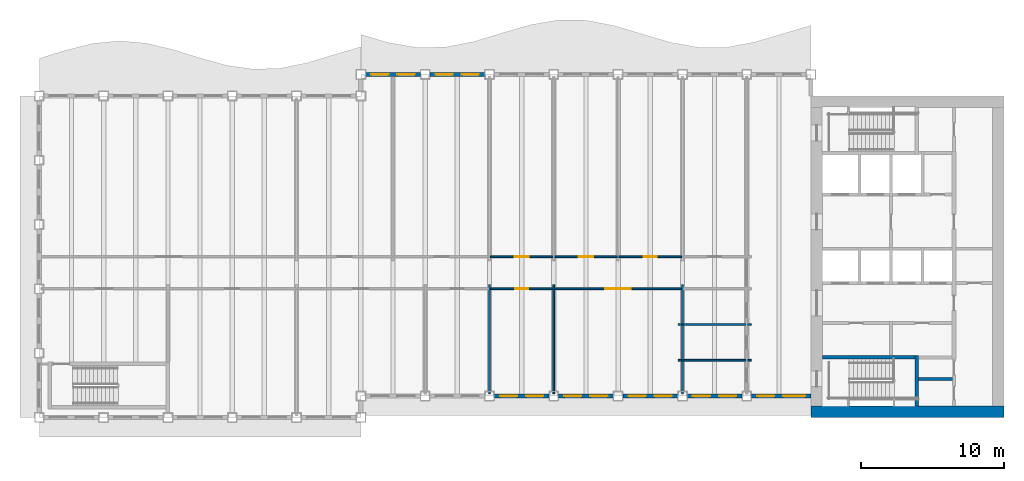
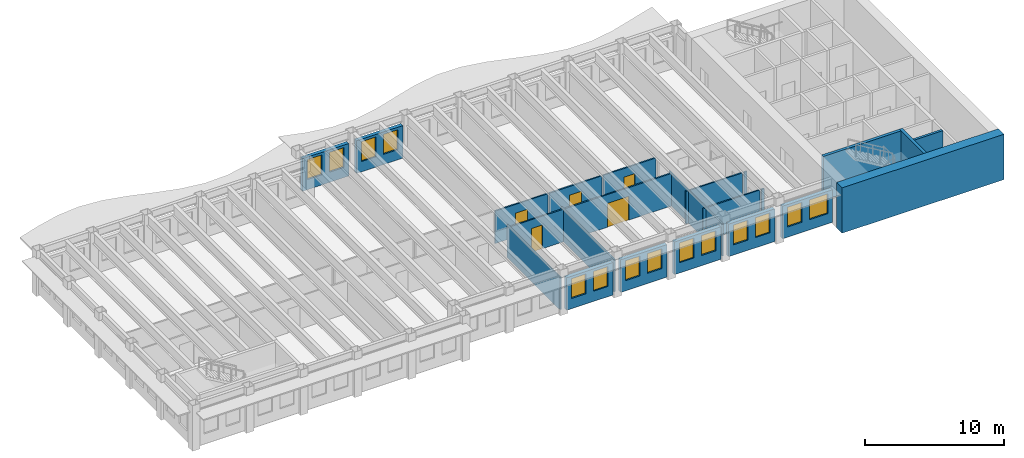
# One storey, part 4 of 12: 25 walls, 14 windows, 5 doors, 19 openings.
"""IFC4 building model written with IfcOpenShell, lengths in metres."""

from ifc_helpers import new_model, si_unit, direction, frame, frame_2d, origin, place, context, subcontext, project, spatial, rectangle, extrude, material, layer, layer_set, type_object, element, fill, save


model = new_model("IFC4")

# Units and contexts
model_context = context("Model", 3, precision=1e-05, world=origin(), true_north=direction((0.0, 1.0)))
body_context = subcontext(model_context, "Body", "Model", "MODEL_VIEW")
ifc_project = project(units=[si_unit("LENGTHUNIT", "METRE"), si_unit("AREAUNIT", "SQUARE_METRE"), si_unit("VOLUMEUNIT", "CUBIC_METRE"), si_unit("PLANEANGLEUNIT", "RADIAN"), si_unit("MASSUNIT", "GRAM", prefix="KILO")], contexts=[model_context])

# Site, building, storey
site_placement = place(None, origin())
site = spatial("IfcSite", under=ifc_project, at=site_placement, CompositionType="ELEMENT")
building_placement = place(site_placement, origin())
building = spatial("IfcBuilding", under=site, at=building_placement, Name="Sennacour Bend Tower", CompositionType="ELEMENT")
storey_placement = place(building_placement, frame((0.0, 0.0, 249.0)))
storey = spatial("IfcBuildingStorey", under=building, at=storey_placement, Name="L57", CompositionType="ELEMENT", Elevation=249.0)

# Walls
ifc_material_1 = material(Name="Concrete C50/60", Category="concrete")
ifc_layer_1 = layer(ifc_material_1, 0.800048828125, Name="Concrete C50/60", Category="concrete")
ifc_layer_set_1 = layer_set([ifc_layer_1], Name="Concrete C50/60")
wall_type_1 = type_object("IfcWallType", Name="Core wall 800 C50/60", PredefinedType="SHEAR", material=ifc_layer_set_1)
wall_1_placement = place(storey_placement, frame((67.5, 0.39990234375, -0.14990234375), z_axis=(0.0, 0.0, 1.0), x_axis=(-1.0, 0.0, 0.0)))
element("IfcWall", 1, at=wall_1_placement, inside=storey, type_object=wall_type_1, Name="Core A wall L57 S", PredefinedType="SHEAR", context=body_context, shape_type="SweptSolid", body=[
    extrude(rectangle(XDim=13.5, YDim=0.800048828125, at=frame_2d((6.75, 0.0))), origin(), (0.0, 0.0, 1.0), 4.0),
])
ifc_material_2 = material(Name="Plasterboard partition on steel studs", Category="steel")
ifc_layer_2 = layer(ifc_material_2, 0.1201171875, Name="Plasterboard partition on steel studs", Category="steel")
ifc_layer_set_2 = layer_set([ifc_layer_2], Name="Plasterboard partition on steel studs")
wall_type_2 = type_object("IfcWallType", Name="Partition 120", PredefinedType="PARTITIONING", material=ifc_layer_set_2)
for number, where, z_axis, x_axis, name in (
    (2, (31.5, 1.64990234375, 0.0), (0.0, 0.0, 1.0), (0.0, 1.0, 0.0), "P-L57-W010a"),
    (3, (36.0, 1.64990234375, 0.0), (0.0, 0.0, 1.0), (0.0, 1.0, 0.0), "P-L57-W012a"),
    (4, (45.0, 1.64990234375, 0.0), (0.0, 0.0, 1.0), (0.0, 1.0, 0.0), "P-L57-W015a"),
):
    element("IfcWall", number, at=place(storey_placement, frame(where, z_axis=z_axis, x_axis=x_axis)), inside=storey, type_object=wall_type_2, Name=name, PredefinedType="PARTITIONING", context=body_context, shape_type="SweptSolid", body=[
        extrude(rectangle(XDim=7.650146484375, YDim=0.1201171875, at=frame_2d((3.8251953125, 0.0))), origin(), (0.0, 0.0, 1.0), 2.8701171875),
    ])
wall_2_placement = place(storey_placement, frame((44.699951171875, 4.0, 0.0), z_axis=(0.0, 0.0, 1.0), x_axis=(1.0, 0.0, 0.0)))
element("IfcWall", 5, at=wall_2_placement, inside=storey, type_object=wall_type_2, Name="P-L57-W038aa", PredefinedType="PARTITIONING", context=body_context, shape_type="SweptSolid", body=[
    extrude(rectangle(XDim=0.239990234375, YDim=0.1201171875, at=frame_2d((0.1201171875, 0.0))), origin(), (0.0, 0.0, 1.0), 2.8701171875),
])
wall_3_placement = place(storey_placement, frame((45.06005859375, 4.0, 0.0), z_axis=(0.0, 0.0, 1.0), x_axis=(1.0, 0.0, 0.0)))
element("IfcWall", 6, at=wall_3_placement, inside=storey, type_object=wall_type_2, Name="P-L57-W038ab", PredefinedType="PARTITIONING", context=body_context, shape_type="SweptSolid", body=[
    extrude(rectangle(XDim=4.3798828125, YDim=0.1201171875, at=frame_2d((2.18994140625, 0.0))), origin(), (0.0, 0.0, 1.0), 2.8701171875),
])
for number, where, z_axis, x_axis, name in (
    (7, (49.56005859375, 4.0, 0.0), (0.0, 0.0, 1.0), (1.0, 0.0, 0.0), "P-L57-W038ac"),
    (8, (44.699951171875, 6.5, 0.0), (0.0, 0.0, 1.0), (1.0, 0.0, 0.0), "P-L57-W041aa"),
):
    element("IfcWall", number, at=place(storey_placement, frame(where, z_axis=z_axis, x_axis=x_axis)), inside=storey, type_object=wall_type_2, Name=name, PredefinedType="PARTITIONING", context=body_context, shape_type="SweptSolid", body=[
        extrude(rectangle(XDim=0.239990234375, YDim=0.1201171875, at=frame_2d((0.1201171875, 0.0))), origin(), (0.0, 0.0, 1.0), 2.8701171875),
    ])
wall_4_placement = place(storey_placement, frame((45.06005859375, 6.5, 0.0), z_axis=(0.0, 0.0, 1.0), x_axis=(1.0, 0.0, 0.0)))
element("IfcWall", 9, at=wall_4_placement, inside=storey, type_object=wall_type_2, Name="P-L57-W041ab", PredefinedType="PARTITIONING", context=body_context, shape_type="SweptSolid", body=[
    extrude(rectangle(XDim=4.3798828125, YDim=0.1201171875, at=frame_2d((2.18994140625, 0.0))), origin(), (0.0, 0.0, 1.0), 2.8701171875),
])
wall_5_placement = place(storey_placement, frame((49.56005859375, 6.5, 0.0), z_axis=(0.0, 0.0, 1.0), x_axis=(1.0, 0.0, 0.0)))
element("IfcWall", 10, at=wall_5_placement, inside=storey, type_object=wall_type_2, Name="P-L57-W041ac", PredefinedType="PARTITIONING", context=body_context, shape_type="SweptSolid", body=[
    extrude(rectangle(XDim=0.239990234375, YDim=0.1201171875, at=frame_2d((0.1201171875, 0.0))), origin(), (0.0, 0.0, 1.0), 2.8701171875),
])

# Wall, opening, door
wall_6_placement = place(storey_placement, frame((36.06005859375, 9.0, 0.0), z_axis=(0.0, 0.0, 1.0), x_axis=(1.0, 0.0, 0.0)))
wall_6 = element("IfcWall", 11, at=wall_6_placement, inside=storey, type_object=wall_type_2, Name="P-L57-W043af", PredefinedType="PARTITIONING", context=body_context, shape_type="SweptSolid", body=[
    extrude(rectangle(XDim=8.8798828125, YDim=0.1201171875, at=frame_2d((4.43994140625, 0.0))), origin(), (0.0, 0.0, 1.0), 2.8701171875),
])
opening_1_placement = place(wall_6_placement, frame((3.539794921875, 0.0, 0.0)))
opening_1 = element("IfcOpeningElement", 12, at=opening_1_placement, cuts=wall_6, Name="Opening OD3", PredefinedType="OPENING", context=body_context, shape_type="SweptSolid", body=[
    extrude(rectangle(XDim=1.800048828125, YDim=2.10009765625, at=frame_2d((0.89990234375, 1.050048828125))), frame((0.0, 0.070068359375, 0.0), z_axis=(0.0, -1.0, 0.0), x_axis=(1.0, 0.0, 0.0)), (0.0, 0.0, 1.0), 0.14013671875),
])
ifc_material_3 = material(Name="Timber", Category="wood")
door_type_1 = type_object("IfcDoorType", Name="DR-OFFICE-1800", OperationType="NOTDEFINED", PredefinedType="DOOR", material=ifc_material_3)
door_1_placement = place(opening_1_placement, origin())
door_1 = element("IfcDoor", 13, at=door_1_placement, inside=storey, type_object=door_type_1, Name="Door", OperationType="DOUBLE_DOOR_SINGLE_SWING", OverallHeight=2.10009765625, OverallWidth=1.800048828125, PredefinedType="DOOR", context=body_context, shape_type="SweptSolid", body=[
    extrude(rectangle(XDim=1.800048828125, YDim=2.10009765625, at=frame_2d((0.89990234375, 1.050048828125))), frame((0.0, 0.02490234375, 0.0), z_axis=(0.0, -1.0, 0.0), x_axis=(1.0, 0.0, 0.0)), (0.0, 0.0, 1.0), 0.050048828125),
])
fill(opening_1, door_1)

wall_7_placement = place(storey_placement, frame((31.56005859375, 11.25, 0.0), z_axis=(0.0, 0.0, 1.0), x_axis=(1.0, 0.0, 0.0)))
wall_7 = element("IfcWall", 14, at=wall_7_placement, inside=storey, type_object=wall_type_2, Name="P-L57-W046ad", PredefinedType="PARTITIONING", context=body_context, shape_type="SweptSolid", body=[
    extrude(rectangle(XDim=4.3798828125, YDim=0.1201171875, at=frame_2d((2.18994140625, 0.0))), origin(), (0.0, 0.0, 1.0), 2.8701171875),
])
opening_2_placement = place(wall_7_placement, frame((1.68994140625, 0.0, 0.0)))
opening_2 = element("IfcOpeningElement", 15, at=opening_2_placement, cuts=wall_7, Name="Opening OD2", PredefinedType="OPENING", context=body_context, shape_type="SweptSolid", body=[
    extrude(rectangle(XDim=1.0, YDim=2.10009765625, at=frame_2d((0.5, 1.050048828125))), frame((0.0, 0.070068359375, 0.0), z_axis=(0.0, -1.0, 0.0), x_axis=(1.0, 0.0, 0.0)), (0.0, 0.0, 1.0), 0.14013671875),
])
door_type_2 = type_object("IfcDoorType", Name="DR-OFFICE-1000", OperationType="NOTDEFINED", PredefinedType="DOOR", material=ifc_material_3)
door_2_placement = place(opening_2_placement, origin())
door_2 = element("IfcDoor", 16, at=door_2_placement, inside=storey, type_object=door_type_2, Name="Door", OperationType="SINGLE_SWING_LEFT", OverallHeight=2.10009765625, OverallWidth=1.0, PredefinedType="DOOR", context=body_context, shape_type="SweptSolid", body=[
    extrude(rectangle(XDim=1.0, YDim=2.10009765625, at=frame_2d((0.5, 1.050048828125))), frame((0.0, 0.02490234375, 0.0), z_axis=(0.0, -1.0, 0.0), x_axis=(1.0, 0.0, 0.0)), (0.0, 0.0, 1.0), 0.050048828125),
])
fill(opening_2, door_2)

wall_8_placement = place(storey_placement, frame((36.06005859375, 11.25, 0.0), z_axis=(0.0, 0.0, 1.0), x_axis=(1.0, 0.0, 0.0)))
wall_8 = element("IfcWall", 17, at=wall_8_placement, inside=storey, type_object=wall_type_2, Name="P-L57-W046ae", PredefinedType="PARTITIONING", context=body_context, shape_type="SweptSolid", body=[
    extrude(rectangle(XDim=4.3798828125, YDim=0.1201171875, at=frame_2d((2.18994140625, 0.0))), origin(), (0.0, 0.0, 1.0), 2.8701171875),
])
opening_3_placement = place(wall_8_placement, frame((1.68994140625, 0.0, 0.0)))
opening_3 = element("IfcOpeningElement", 18, at=opening_3_placement, cuts=wall_8, Name="Opening OD2", PredefinedType="OPENING", context=body_context, shape_type="SweptSolid", body=[
    extrude(rectangle(XDim=1.0, YDim=2.10009765625, at=frame_2d((0.5, 1.050048828125))), frame((0.0, 0.070068359375, 0.0), z_axis=(0.0, -1.0, 0.0), x_axis=(1.0, 0.0, 0.0)), (0.0, 0.0, 1.0), 0.14013671875),
])
door_3_placement = place(opening_3_placement, origin())
door_3 = element("IfcDoor", 19, at=door_3_placement, inside=storey, type_object=door_type_2, Name="Door", OperationType="SINGLE_SWING_LEFT", OverallHeight=2.10009765625, OverallWidth=1.0, PredefinedType="DOOR", context=body_context, shape_type="SweptSolid", body=[
    extrude(rectangle(XDim=1.0, YDim=2.10009765625, at=frame_2d((0.5, 1.050048828125))), frame((0.0, 0.02490234375, 0.0), z_axis=(0.0, -1.0, 0.0), x_axis=(1.0, 0.0, 0.0)), (0.0, 0.0, 1.0), 0.050048828125),
])
fill(opening_3, door_3)

ifc_layer_3 = layer(ifc_material_2, 0.1201171875, Name="Plasterboard partition on steel studs", Category="steel")
ifc_layer_set_3 = layer_set([ifc_layer_3], Name="Plasterboard partition on steel studs")
wall_type_3 = type_object("IfcWallType", Name="Partition 120 EI 60", PredefinedType="PARTITIONING", material=ifc_layer_set_3)
wall_9_placement = place(storey_placement, frame((31.56005859375, 9.0, 0.0), z_axis=(0.0, 0.0, 1.0), x_axis=(1.0, 0.0, 0.0)))
wall_9 = element("IfcWall", 20, at=wall_9_placement, inside=storey, type_object=wall_type_3, Name="P-L57-W043ae", PredefinedType="PARTITIONING", context=body_context, shape_type="SweptSolid", body=[
    extrude(rectangle(XDim=4.3798828125, YDim=0.1201171875, at=frame_2d((2.18994140625, 0.0))), origin(), (0.0, 0.0, 1.0), 2.8701171875),
])
opening_4_placement = place(wall_9_placement, frame((1.739990234375, 0.0, 0.0)))
opening_4 = element("IfcOpeningElement", 21, at=opening_4_placement, cuts=wall_9, Name="Opening SV", PredefinedType="OPENING", context=body_context, shape_type="SweptSolid", body=[
    extrude(rectangle(XDim=0.89990234375, YDim=2.10009765625, at=frame_2d((0.449951171875, 1.050048828125))), frame((0.0, 0.070068359375, 0.0), z_axis=(0.0, -1.0, 0.0), x_axis=(1.0, 0.0, 0.0)), (0.0, 0.0, 1.0), 0.14013671875),
])
ifc_material_4 = material(Name="Painted steel", Category="steel")
door_type_3 = type_object("IfcDoorType", Name="DR-SERVICE-900", OperationType="NOTDEFINED", PredefinedType="DOOR", material=ifc_material_4)
door_4_placement = place(opening_4_placement, origin())
door_4 = element("IfcDoor", 22, at=door_4_placement, inside=storey, type_object=door_type_3, Name="Door", OperationType="SINGLE_SWING_LEFT", OverallHeight=2.10009765625, OverallWidth=0.89990234375, PredefinedType="DOOR", context=body_context, shape_type="SweptSolid", body=[
    extrude(rectangle(XDim=0.89990234375, YDim=2.10009765625, at=frame_2d((0.449951171875, 1.050048828125))), frame((0.0, 0.02490234375, 0.0), z_axis=(0.0, -1.0, 0.0), x_axis=(1.0, 0.0, 0.0)), (0.0, 0.0, 1.0), 0.050048828125),
])
fill(opening_4, door_4)

wall_10_placement = place(storey_placement, frame((40.56005859375, 11.25, 0.0), z_axis=(0.0, 0.0, 1.0), x_axis=(1.0, 0.0, 0.0)))
wall_10 = element("IfcWall", 23, at=wall_10_placement, inside=storey, type_object=wall_type_3, Name="P-L57-W046af", PredefinedType="PARTITIONING", context=body_context, shape_type="SweptSolid", body=[
    extrude(rectangle(XDim=4.3798828125, YDim=0.1201171875, at=frame_2d((2.18994140625, 0.0))), origin(), (0.0, 0.0, 1.0), 2.8701171875),
])
opening_5_placement = place(wall_10_placement, frame((1.739990234375, 0.0, 0.0)))
opening_5 = element("IfcOpeningElement", 24, at=opening_5_placement, cuts=wall_10, Name="Opening SV", PredefinedType="OPENING", context=body_context, shape_type="SweptSolid", body=[
    extrude(rectangle(XDim=0.89990234375, YDim=2.10009765625, at=frame_2d((0.449951171875, 1.050048828125))), frame((0.0, 0.070068359375, 0.0), z_axis=(0.0, -1.0, 0.0), x_axis=(1.0, 0.0, 0.0)), (0.0, 0.0, 1.0), 0.14013671875),
])
door_5_placement = place(opening_5_placement, origin())
door_5 = element("IfcDoor", 25, at=door_5_placement, inside=storey, type_object=door_type_3, Name="Door", OperationType="SINGLE_SWING_LEFT", OverallHeight=2.10009765625, OverallWidth=0.89990234375, PredefinedType="DOOR", context=body_context, shape_type="SweptSolid", body=[
    extrude(rectangle(XDim=0.89990234375, YDim=2.10009765625, at=frame_2d((0.449951171875, 1.050048828125))), frame((0.0, 0.02490234375, 0.0), z_axis=(0.0, -1.0, 0.0), x_axis=(1.0, 0.0, 0.0)), (0.0, 0.0, 1.0), 0.050048828125),
])
fill(opening_5, door_5)

# Wall
ifc_material_5 = material(Name="Fire-rated plasterboard partition on steel studs", Category="steel")
ifc_layer_4 = layer(ifc_material_5, 0.199951171875, Name="Fire-rated plasterboard partition on steel studs", Category="steel")
ifc_layer_set_4 = layer_set([ifc_layer_4], Name="Fire-rated plasterboard partition on steel studs")
wall_type_4 = type_object("IfcWallType", Name="Rated partition 200", PredefinedType="PARTITIONING", material=ifc_layer_set_4)
wall_11_placement = place(storey_placement, frame((61.52490234375, 2.699951171875, 0.0), z_axis=(0.0, 0.0, 1.0), x_axis=(1.0, 0.0, 0.0)))
element("IfcWall", 26, at=wall_11_placement, inside=storey, type_object=wall_type_4, Name="P-L57-W035", PredefinedType="PARTITIONING", context=body_context, shape_type="SweptSolid", body=[
    extrude(rectangle(XDim=2.375, YDim=0.199951171875, at=frame_2d((1.1875, 0.0))), origin(), (0.0, 0.0, 1.0), 3.85009765625),
])

# Wall, openings, windows
ifc_material_6 = material(Name="Warm limestone cladding", Category="masonry")
ifc_layer_5 = layer(ifc_material_6, 0.050048828125, Name="Warm limestone cladding", Category="masonry")
ifc_material_7 = material(Name="Precast concrete C40/50", Category="concrete")
ifc_layer_6 = layer(ifc_material_7, 0.25, Name="Precast concrete C40/50", Category="concrete")
ifc_layer_set_5 = layer_set([ifc_layer_5, ifc_layer_6], Name="Precast concrete C40/50 with limestone cladding")
wall_type_5 = type_object("IfcWallType", Name="STONE-CLAD PRECAST SPANDREL 300", PredefinedType="STANDARD", material=ifc_layer_set_5)
wall_12_placement = place(storey_placement, frame((31.824951171875, 1.5, 0.0), z_axis=(0.0, 0.0, 1.0), x_axis=(1.0, 0.0, 0.0)))
wall_12 = element("IfcWall", 27, at=wall_12_placement, inside=storey, type_object=wall_type_5, Name="Stone spandrel and pier wall L57 01.02", PredefinedType="STANDARD", context=body_context, shape_type="SweptSolid", body=[
    extrude(rectangle(XDim=3.85009765625, YDim=0.300048828125, at=frame_2d((1.925048828125, 0.0))), origin(), (0.0, 0.0, 1.0), 2.8701171875),
])
opening_6_placement = place(wall_12_placement, frame((0.41259765625, 0.0, 0.89990234375)))
opening_6 = element("IfcOpeningElement", 28, at=opening_6_placement, cuts=wall_12, Name="Opening W16", PredefinedType="OPENING", context=body_context, shape_type="SweptSolid", body=[
    extrude(rectangle(XDim=1.199951171875, YDim=1.75, at=frame_2d((0.60009765625, 0.875))), frame((0.0, 0.16015625, 0.0), z_axis=(0.0, -1.0, 0.0), x_axis=(1.0, 0.0, 0.0)), (0.0, 0.0, 1.0), 0.320068359375),
])
opening_7_placement = place(wall_12_placement, frame((2.237548828125, 0.0, 0.89990234375)))
opening_7 = element("IfcOpeningElement", 29, at=opening_7_placement, cuts=wall_12, Name="Opening W16", PredefinedType="OPENING", context=body_context, shape_type="SweptSolid", body=[
    extrude(rectangle(XDim=1.199951171875, YDim=1.75, at=frame_2d((0.60009765625, 0.875))), frame((0.0, 0.16015625, 0.0), z_axis=(0.0, -1.0, 0.0), x_axis=(1.0, 0.0, 0.0)), (0.0, 0.0, 1.0), 0.320068359375),
])
ifc_material_8 = material(Name="Clear low-emissivity glass", Category="glass")
window_type_1 = type_object("IfcWindowType", Name="WIN-RIBBON-1200x1750", PartitioningType="SINGLE_PANEL", PredefinedType="WINDOW", material=ifc_material_8)
window_1_placement = place(opening_6_placement, origin())
window_1 = element("IfcWindow", 30, at=window_1_placement, inside=storey, type_object=window_type_1, Name="Ribbon window L57 01.02.0", OverallHeight=1.75, OverallWidth=1.199951171875, PartitioningType="SINGLE_PANEL", PredefinedType="WINDOW", context=body_context, shape_type="SweptSolid", body=[
    extrude(rectangle(XDim=1.199951171875, YDim=1.75, at=frame_2d((0.60009765625, 0.875))), frame((0.0, 0.030029296875, 0.0), z_axis=(0.0, -1.0, 0.0), x_axis=(1.0, 0.0, 0.0)), (0.0, 0.0, 1.0), 0.06005859375),
])
fill(opening_6, window_1)
window_2_placement = place(opening_7_placement, origin())
window_2 = element("IfcWindow", 31, at=window_2_placement, inside=storey, type_object=window_type_1, Name="Ribbon window L57 01.02.1", OverallHeight=1.75, OverallWidth=1.199951171875, PartitioningType="SINGLE_PANEL", PredefinedType="WINDOW", context=body_context, shape_type="SweptSolid", body=[
    extrude(rectangle(XDim=1.199951171875, YDim=1.75, at=frame_2d((0.60009765625, 0.875))), frame((0.0, 0.030029296875, 0.0), z_axis=(0.0, -1.0, 0.0), x_axis=(1.0, 0.0, 0.0)), (0.0, 0.0, 1.0), 0.06005859375),
])
fill(opening_7, window_2)

wall_13_placement = place(storey_placement, frame((36.324951171875, 1.5, 0.0), z_axis=(0.0, 0.0, 1.0), x_axis=(1.0, 0.0, 0.0)))
wall_13 = element("IfcWall", 32, at=wall_13_placement, inside=storey, type_object=wall_type_5, Name="Stone spandrel and pier wall L57 01.03", PredefinedType="STANDARD", context=body_context, shape_type="SweptSolid", body=[
    extrude(rectangle(XDim=3.85009765625, YDim=0.300048828125, at=frame_2d((1.925048828125, 0.0))), origin(), (0.0, 0.0, 1.0), 2.8701171875),
])
opening_8_placement = place(wall_13_placement, frame((0.41259765625, 0.0, 0.89990234375)))
opening_8 = element("IfcOpeningElement", 33, at=opening_8_placement, cuts=wall_13, Name="Opening W16", PredefinedType="OPENING", context=body_context, shape_type="SweptSolid", body=[
    extrude(rectangle(XDim=1.199951171875, YDim=1.75, at=frame_2d((0.60009765625, 0.875))), frame((0.0, 0.16015625, 0.0), z_axis=(0.0, -1.0, 0.0), x_axis=(1.0, 0.0, 0.0)), (0.0, 0.0, 1.0), 0.320068359375),
])
opening_9_placement = place(wall_13_placement, frame((2.237548828125, 0.0, 0.89990234375)))
opening_9 = element("IfcOpeningElement", 34, at=opening_9_placement, cuts=wall_13, Name="Opening W16", PredefinedType="OPENING", context=body_context, shape_type="SweptSolid", body=[
    extrude(rectangle(XDim=1.199951171875, YDim=1.75, at=frame_2d((0.60009765625, 0.875))), frame((0.0, 0.16015625, 0.0), z_axis=(0.0, -1.0, 0.0), x_axis=(1.0, 0.0, 0.0)), (0.0, 0.0, 1.0), 0.320068359375),
])
window_3_placement = place(opening_8_placement, origin())
window_3 = element("IfcWindow", 35, at=window_3_placement, inside=storey, type_object=window_type_1, Name="Ribbon window L57 01.03.0", OverallHeight=1.75, OverallWidth=1.199951171875, PartitioningType="SINGLE_PANEL", PredefinedType="WINDOW", context=body_context, shape_type="SweptSolid", body=[
    extrude(rectangle(XDim=1.199951171875, YDim=1.75, at=frame_2d((0.60009765625, 0.875))), frame((0.0, 0.030029296875, 0.0), z_axis=(0.0, -1.0, 0.0), x_axis=(1.0, 0.0, 0.0)), (0.0, 0.0, 1.0), 0.06005859375),
])
fill(opening_8, window_3)
window_4_placement = place(opening_9_placement, origin())
window_4 = element("IfcWindow", 36, at=window_4_placement, inside=storey, type_object=window_type_1, Name="Ribbon window L57 01.03.1", OverallHeight=1.75, OverallWidth=1.199951171875, PartitioningType="SINGLE_PANEL", PredefinedType="WINDOW", context=body_context, shape_type="SweptSolid", body=[
    extrude(rectangle(XDim=1.199951171875, YDim=1.75, at=frame_2d((0.60009765625, 0.875))), frame((0.0, 0.030029296875, 0.0), z_axis=(0.0, -1.0, 0.0), x_axis=(1.0, 0.0, 0.0)), (0.0, 0.0, 1.0), 0.06005859375),
])
fill(opening_9, window_4)

wall_14_placement = place(storey_placement, frame((40.824951171875, 1.5, 0.0), z_axis=(0.0, 0.0, 1.0), x_axis=(1.0, 0.0, 0.0)))
wall_14 = element("IfcWall", 37, at=wall_14_placement, inside=storey, type_object=wall_type_5, Name="Stone spandrel and pier wall L57 01.04", PredefinedType="STANDARD", context=body_context, shape_type="SweptSolid", body=[
    extrude(rectangle(XDim=3.85009765625, YDim=0.300048828125, at=frame_2d((1.925048828125, 0.0))), origin(), (0.0, 0.0, 1.0), 2.8701171875),
])
opening_10_placement = place(wall_14_placement, frame((0.41259765625, 0.0, 0.89990234375)))
opening_10 = element("IfcOpeningElement", 38, at=opening_10_placement, cuts=wall_14, Name="Opening W16", PredefinedType="OPENING", context=body_context, shape_type="SweptSolid", body=[
    extrude(rectangle(XDim=1.199951171875, YDim=1.75, at=frame_2d((0.60009765625, 0.875))), frame((0.0, 0.16015625, 0.0), z_axis=(0.0, -1.0, 0.0), x_axis=(1.0, 0.0, 0.0)), (0.0, 0.0, 1.0), 0.320068359375),
])
opening_11_placement = place(wall_14_placement, frame((2.237548828125, 0.0, 0.89990234375)))
opening_11 = element("IfcOpeningElement", 39, at=opening_11_placement, cuts=wall_14, Name="Opening W16", PredefinedType="OPENING", context=body_context, shape_type="SweptSolid", body=[
    extrude(rectangle(XDim=1.199951171875, YDim=1.75, at=frame_2d((0.60009765625, 0.875))), frame((0.0, 0.16015625, 0.0), z_axis=(0.0, -1.0, 0.0), x_axis=(1.0, 0.0, 0.0)), (0.0, 0.0, 1.0), 0.320068359375),
])
window_5_placement = place(opening_10_placement, origin())
window_5 = element("IfcWindow", 40, at=window_5_placement, inside=storey, type_object=window_type_1, Name="Ribbon window L57 01.04.0", OverallHeight=1.75, OverallWidth=1.199951171875, PartitioningType="SINGLE_PANEL", PredefinedType="WINDOW", context=body_context, shape_type="SweptSolid", body=[
    extrude(rectangle(XDim=1.199951171875, YDim=1.75, at=frame_2d((0.60009765625, 0.875))), frame((0.0, 0.030029296875, 0.0), z_axis=(0.0, -1.0, 0.0), x_axis=(1.0, 0.0, 0.0)), (0.0, 0.0, 1.0), 0.06005859375),
])
fill(opening_10, window_5)
window_6_placement = place(opening_11_placement, origin())
window_6 = element("IfcWindow", 41, at=window_6_placement, inside=storey, type_object=window_type_1, Name="Ribbon window L57 01.04.1", OverallHeight=1.75, OverallWidth=1.199951171875, PartitioningType="SINGLE_PANEL", PredefinedType="WINDOW", context=body_context, shape_type="SweptSolid", body=[
    extrude(rectangle(XDim=1.199951171875, YDim=1.75, at=frame_2d((0.60009765625, 0.875))), frame((0.0, 0.030029296875, 0.0), z_axis=(0.0, -1.0, 0.0), x_axis=(1.0, 0.0, 0.0)), (0.0, 0.0, 1.0), 0.06005859375),
])
fill(opening_11, window_6)

wall_15_placement = place(storey_placement, frame((45.324951171875, 1.5, 0.0), z_axis=(0.0, 0.0, 1.0), x_axis=(1.0, 0.0, 0.0)))
wall_15 = element("IfcWall", 42, at=wall_15_placement, inside=storey, type_object=wall_type_5, Name="Stone spandrel and pier wall L57 01.05", PredefinedType="STANDARD", context=body_context, shape_type="SweptSolid", body=[
    extrude(rectangle(XDim=3.85009765625, YDim=0.300048828125, at=frame_2d((1.925048828125, 0.0))), origin(), (0.0, 0.0, 1.0), 2.8701171875),
])
opening_12_placement = place(wall_15_placement, frame((0.41259765625, 0.0, 0.89990234375)))
opening_12 = element("IfcOpeningElement", 43, at=opening_12_placement, cuts=wall_15, Name="Opening W16", PredefinedType="OPENING", context=body_context, shape_type="SweptSolid", body=[
    extrude(rectangle(XDim=1.199951171875, YDim=1.75, at=frame_2d((0.60009765625, 0.875))), frame((0.0, 0.16015625, 0.0), z_axis=(0.0, -1.0, 0.0), x_axis=(1.0, 0.0, 0.0)), (0.0, 0.0, 1.0), 0.320068359375),
])
opening_13_placement = place(wall_15_placement, frame((2.237548828125, 0.0, 0.89990234375)))
opening_13 = element("IfcOpeningElement", 44, at=opening_13_placement, cuts=wall_15, Name="Opening W16", PredefinedType="OPENING", context=body_context, shape_type="SweptSolid", body=[
    extrude(rectangle(XDim=1.199951171875, YDim=1.75, at=frame_2d((0.60009765625, 0.875))), frame((0.0, 0.16015625, 0.0), z_axis=(0.0, -1.0, 0.0), x_axis=(1.0, 0.0, 0.0)), (0.0, 0.0, 1.0), 0.320068359375),
])
window_7_placement = place(opening_12_placement, origin())
window_7 = element("IfcWindow", 45, at=window_7_placement, inside=storey, type_object=window_type_1, Name="Ribbon window L57 01.05.0", OverallHeight=1.75, OverallWidth=1.199951171875, PartitioningType="SINGLE_PANEL", PredefinedType="WINDOW", context=body_context, shape_type="SweptSolid", body=[
    extrude(rectangle(XDim=1.199951171875, YDim=1.75, at=frame_2d((0.60009765625, 0.875))), frame((0.0, 0.030029296875, 0.0), z_axis=(0.0, -1.0, 0.0), x_axis=(1.0, 0.0, 0.0)), (0.0, 0.0, 1.0), 0.06005859375),
])
fill(opening_12, window_7)
window_8_placement = place(opening_13_placement, origin())
window_8 = element("IfcWindow", 46, at=window_8_placement, inside=storey, type_object=window_type_1, Name="Ribbon window L57 01.05.1", OverallHeight=1.75, OverallWidth=1.199951171875, PartitioningType="SINGLE_PANEL", PredefinedType="WINDOW", context=body_context, shape_type="SweptSolid", body=[
    extrude(rectangle(XDim=1.199951171875, YDim=1.75, at=frame_2d((0.60009765625, 0.875))), frame((0.0, 0.030029296875, 0.0), z_axis=(0.0, -1.0, 0.0), x_axis=(1.0, 0.0, 0.0)), (0.0, 0.0, 1.0), 0.06005859375),
])
fill(opening_13, window_8)

wall_16_placement = place(storey_placement, frame((49.824951171875, 1.5, 0.0), z_axis=(0.0, 0.0, 1.0), x_axis=(1.0, 0.0, 0.0)))
wall_16 = element("IfcWall", 47, at=wall_16_placement, inside=storey, type_object=wall_type_5, Name="Stone spandrel and pier wall L57 01.06", PredefinedType="STANDARD", context=body_context, shape_type="SweptSolid", body=[
    extrude(rectangle(XDim=4.175048828125, YDim=0.300048828125, at=frame_2d((2.08740234375, 0.0))), origin(), (0.0, 0.0, 1.0), 2.8701171875),
])
opening_14_placement = place(wall_16_placement, frame((0.41259765625, 0.0, 0.89990234375)))
opening_14 = element("IfcOpeningElement", 48, at=opening_14_placement, cuts=wall_16, Name="Opening W16", PredefinedType="OPENING", context=body_context, shape_type="SweptSolid", body=[
    extrude(rectangle(XDim=1.199951171875, YDim=1.75, at=frame_2d((0.60009765625, 0.875))), frame((0.0, 0.16015625, 0.0), z_axis=(0.0, -1.0, 0.0), x_axis=(1.0, 0.0, 0.0)), (0.0, 0.0, 1.0), 0.320068359375),
])
opening_15_placement = place(wall_16_placement, frame((2.22509765625, 0.0, 0.89990234375)))
opening_15 = element("IfcOpeningElement", 49, at=opening_15_placement, cuts=wall_16, Name="Opening W12", PredefinedType="OPENING", context=body_context, shape_type="SweptSolid", body=[
    extrude(rectangle(XDim=1.550048828125, YDim=1.75, at=frame_2d((0.77490234375, 0.875))), frame((0.0, 0.16015625, 0.0), z_axis=(0.0, -1.0, 0.0), x_axis=(1.0, 0.0, 0.0)), (0.0, 0.0, 1.0), 0.320068359375),
])
window_9_placement = place(opening_14_placement, origin())
window_9 = element("IfcWindow", 50, at=window_9_placement, inside=storey, type_object=window_type_1, Name="Ribbon window L57 01.06.0", OverallHeight=1.75, OverallWidth=1.199951171875, PartitioningType="SINGLE_PANEL", PredefinedType="WINDOW", context=body_context, shape_type="SweptSolid", body=[
    extrude(rectangle(XDim=1.199951171875, YDim=1.75, at=frame_2d((0.60009765625, 0.875))), frame((0.0, 0.030029296875, 0.0), z_axis=(0.0, -1.0, 0.0), x_axis=(1.0, 0.0, 0.0)), (0.0, 0.0, 1.0), 0.06005859375),
])
fill(opening_14, window_9)
window_type_2 = type_object("IfcWindowType", Name="WIN-RIBBON-1550x1750", PartitioningType="SINGLE_PANEL", PredefinedType="WINDOW", material=ifc_material_8)
window_10_placement = place(opening_15_placement, origin())
window_10 = element("IfcWindow", 51, at=window_10_placement, inside=storey, type_object=window_type_2, Name="Ribbon window L57 01.06.1", OverallHeight=1.75, OverallWidth=1.550048828125, PartitioningType="SINGLE_PANEL", PredefinedType="WINDOW", context=body_context, shape_type="SweptSolid", body=[
    extrude(rectangle(XDim=1.550048828125, YDim=1.75, at=frame_2d((0.77490234375, 0.875))), frame((0.0, 0.030029296875, 0.0), z_axis=(0.0, -1.0, 0.0), x_axis=(1.0, 0.0, 0.0)), (0.0, 0.0, 1.0), 0.06005859375),
])
fill(opening_15, window_10)

wall_17_placement = place(storey_placement, frame((31.175048828125, 24.0, 0.0), z_axis=(0.0, 0.0, 1.0), x_axis=(-1.0, 0.0, 0.0)))
wall_17 = element("IfcWall", 52, at=wall_17_placement, inside=storey, type_object=wall_type_5, Name="Stone spandrel and pier wall L57 07.05", PredefinedType="STANDARD", context=body_context, shape_type="SweptSolid", body=[
    extrude(rectangle(XDim=3.85009765625, YDim=0.300048828125, at=frame_2d((1.925048828125, 0.0))), origin(), (0.0, 0.0, 1.0), 2.8701171875),
])
opening_16_placement = place(wall_17_placement, frame((0.41259765625, 0.0, 0.89990234375)))
opening_16 = element("IfcOpeningElement", 53, at=opening_16_placement, cuts=wall_17, Name="Opening W16", PredefinedType="OPENING", context=body_context, shape_type="SweptSolid", body=[
    extrude(rectangle(XDim=1.199951171875, YDim=1.75, at=frame_2d((0.60009765625, 0.875))), frame((0.0, 0.16015625, 0.0), z_axis=(0.0, -1.0, 0.0), x_axis=(1.0, 0.0, 0.0)), (0.0, 0.0, 1.0), 0.320068359375),
])
opening_17_placement = place(wall_17_placement, frame((2.237548828125, 0.0, 0.89990234375)))
opening_17 = element("IfcOpeningElement", 54, at=opening_17_placement, cuts=wall_17, Name="Opening W16", PredefinedType="OPENING", context=body_context, shape_type="SweptSolid", body=[
    extrude(rectangle(XDim=1.199951171875, YDim=1.75, at=frame_2d((0.60009765625, 0.875))), frame((0.0, 0.16015625, 0.0), z_axis=(0.0, -1.0, 0.0), x_axis=(1.0, 0.0, 0.0)), (0.0, 0.0, 1.0), 0.320068359375),
])
window_11_placement = place(opening_16_placement, origin())
window_11 = element("IfcWindow", 55, at=window_11_placement, inside=storey, type_object=window_type_1, Name="Ribbon window L57 07.05.0", OverallHeight=1.75, OverallWidth=1.199951171875, PartitioningType="SINGLE_PANEL", PredefinedType="WINDOW", context=body_context, shape_type="SweptSolid", body=[
    extrude(rectangle(XDim=1.199951171875, YDim=1.75, at=frame_2d((0.60009765625, 0.875))), frame((0.0, 0.030029296875, 0.0), z_axis=(0.0, -1.0, 0.0), x_axis=(1.0, 0.0, 0.0)), (0.0, 0.0, 1.0), 0.06005859375),
])
fill(opening_16, window_11)
window_12_placement = place(opening_17_placement, origin())
window_12 = element("IfcWindow", 56, at=window_12_placement, inside=storey, type_object=window_type_1, Name="Ribbon window L57 07.05.1", OverallHeight=1.75, OverallWidth=1.199951171875, PartitioningType="SINGLE_PANEL", PredefinedType="WINDOW", context=body_context, shape_type="SweptSolid", body=[
    extrude(rectangle(XDim=1.199951171875, YDim=1.75, at=frame_2d((0.60009765625, 0.875))), frame((0.0, 0.030029296875, 0.0), z_axis=(0.0, -1.0, 0.0), x_axis=(1.0, 0.0, 0.0)), (0.0, 0.0, 1.0), 0.06005859375),
])
fill(opening_17, window_12)

wall_18_placement = place(storey_placement, frame((26.675048828125, 24.0, 0.0), z_axis=(0.0, 0.0, 1.0), x_axis=(-1.0, 0.0, 0.0)))
wall_18 = element("IfcWall", 57, at=wall_18_placement, inside=storey, type_object=wall_type_5, Name="Stone spandrel and pier wall L57 07.06", PredefinedType="STANDARD", context=body_context, shape_type="SweptSolid", body=[
    extrude(rectangle(XDim=3.85009765625, YDim=0.300048828125, at=frame_2d((1.925048828125, 0.0))), origin(), (0.0, 0.0, 1.0), 2.8701171875),
])
opening_18_placement = place(wall_18_placement, frame((0.41259765625, 0.0, 0.89990234375)))
opening_18 = element("IfcOpeningElement", 58, at=opening_18_placement, cuts=wall_18, Name="Opening W16", PredefinedType="OPENING", context=body_context, shape_type="SweptSolid", body=[
    extrude(rectangle(XDim=1.199951171875, YDim=1.75, at=frame_2d((0.60009765625, 0.875))), frame((0.0, 0.16015625, 0.0), z_axis=(0.0, -1.0, 0.0), x_axis=(1.0, 0.0, 0.0)), (0.0, 0.0, 1.0), 0.320068359375),
])
opening_19_placement = place(wall_18_placement, frame((2.237548828125, 0.0, 0.89990234375)))
opening_19 = element("IfcOpeningElement", 59, at=opening_19_placement, cuts=wall_18, Name="Opening W16", PredefinedType="OPENING", context=body_context, shape_type="SweptSolid", body=[
    extrude(rectangle(XDim=1.199951171875, YDim=1.75, at=frame_2d((0.60009765625, 0.875))), frame((0.0, 0.16015625, 0.0), z_axis=(0.0, -1.0, 0.0), x_axis=(1.0, 0.0, 0.0)), (0.0, 0.0, 1.0), 0.320068359375),
])
window_13_placement = place(opening_18_placement, origin())
window_13 = element("IfcWindow", 60, at=window_13_placement, inside=storey, type_object=window_type_1, Name="Ribbon window L57 07.06.0", OverallHeight=1.75, OverallWidth=1.199951171875, PartitioningType="SINGLE_PANEL", PredefinedType="WINDOW", context=body_context, shape_type="SweptSolid", body=[
    extrude(rectangle(XDim=1.199951171875, YDim=1.75, at=frame_2d((0.60009765625, 0.875))), frame((0.0, 0.030029296875, 0.0), z_axis=(0.0, -1.0, 0.0), x_axis=(1.0, 0.0, 0.0)), (0.0, 0.0, 1.0), 0.06005859375),
])
fill(opening_18, window_13)
window_14_placement = place(opening_19_placement, origin())
window_14 = element("IfcWindow", 61, at=window_14_placement, inside=storey, type_object=window_type_1, Name="Ribbon window L57 07.06.1", OverallHeight=1.75, OverallWidth=1.199951171875, PartitioningType="SINGLE_PANEL", PredefinedType="WINDOW", context=body_context, shape_type="SweptSolid", body=[
    extrude(rectangle(XDim=1.199951171875, YDim=1.75, at=frame_2d((0.60009765625, 0.875))), frame((0.0, 0.030029296875, 0.0), z_axis=(0.0, -1.0, 0.0), x_axis=(1.0, 0.0, 0.0)), (0.0, 0.0, 1.0), 0.06005859375),
])
fill(opening_19, window_14)

# Walls
ifc_material_9 = material(Name="Concrete C60/75", Category="concrete")
ifc_layer_7 = layer(ifc_material_9, 0.25, Name="Concrete C60/75", Category="concrete")
ifc_layer_set_6 = layer_set([ifc_layer_7], Name="Concrete C60/75")
wall_type_6 = type_object("IfcWallType", Name="Stair wall 250", PredefinedType="SHEAR", material=ifc_layer_set_6)
wall_19_placement = place(storey_placement, frame((61.39990234375, 0.800048828125, 0.0), z_axis=(0.0, 0.0, 1.0), x_axis=(0.0, 1.0, 0.0)))
element("IfcWall", 62, at=wall_19_placement, inside=storey, type_object=wall_type_6, Name="P-L57-W025", PredefinedType="SHEAR", context=body_context, shape_type="SweptSolid", body=[
    extrude(rectangle(XDim=3.52490234375, YDim=0.25, at=frame_2d((1.762451171875, 0.0))), origin(), (0.0, 0.0, 1.0), 3.85009765625),
])
wall_20_placement = place(storey_placement, frame((54.800048828125, 4.199951171875, 0.0), z_axis=(0.0, 0.0, 1.0), x_axis=(1.0, 0.0, 0.0)))
element("IfcWall", 63, at=wall_20_placement, inside=storey, type_object=wall_type_6, Name="P-L57-W039", PredefinedType="SHEAR", context=body_context, shape_type="SweptSolid", body=[
    extrude(rectangle(XDim=6.474853515625, YDim=0.25, at=frame_2d((3.2373046875, 0.0))), origin(), (0.0, 0.0, 1.0), 3.85009765625),
])

save(model, "model.ifc")
